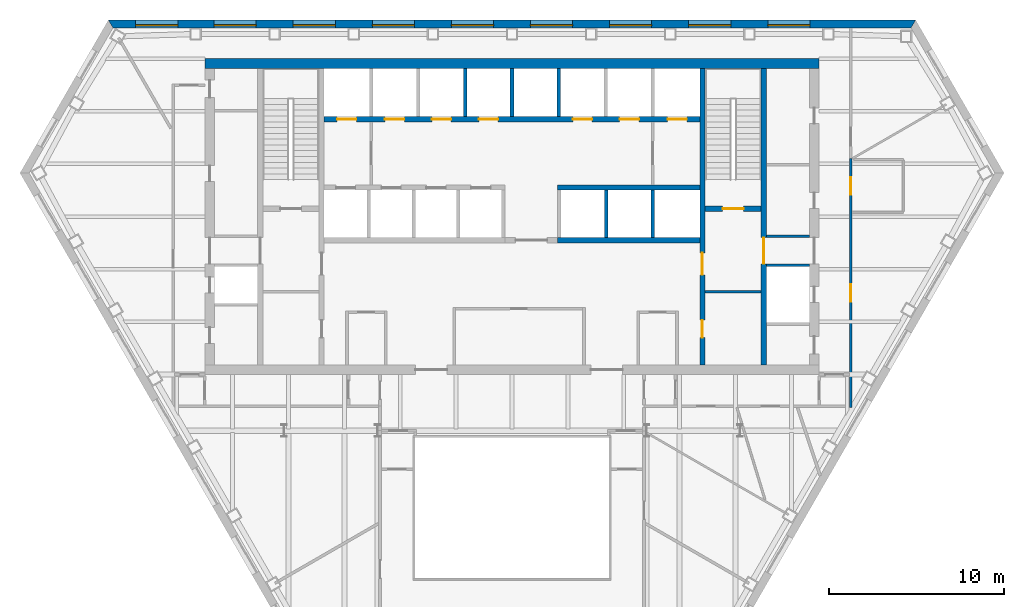
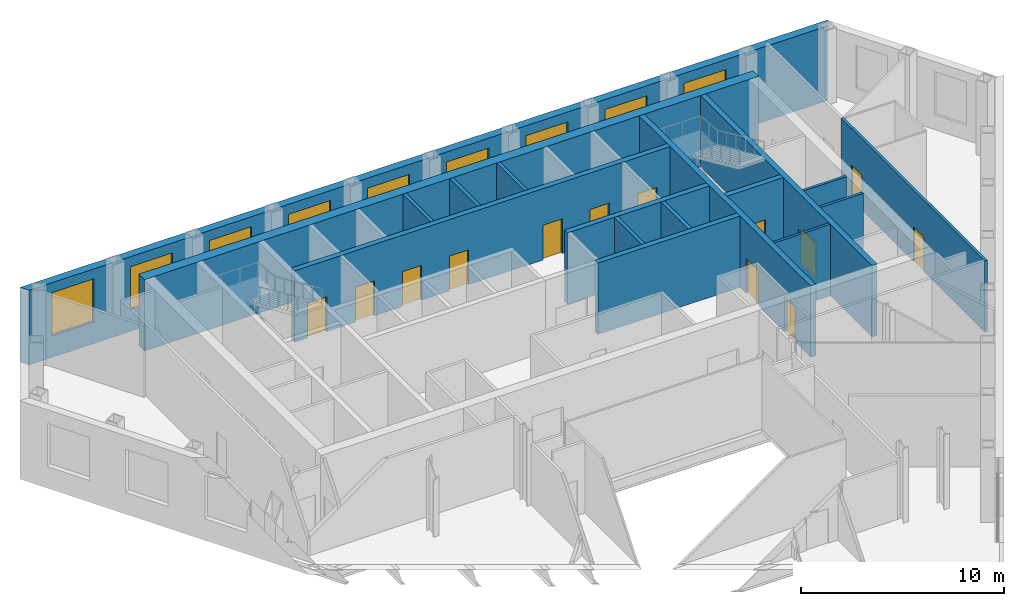
# One storey, part 7 of 11: 17 walls, 13 doors, 9 windows, 22 openings.
"""IFC4 building model written with IfcOpenShell, lengths in metres."""

from ifc_helpers import new_model, si_unit, direction, frame, frame_2d, origin, place, context, subcontext, project, spatial, polyline, rectangle, outline, extrude, material, layer, layer_set, type_object, element, fill, save


model = new_model("IFC4")

# Units and contexts
model_context = context("Model", 3, precision=1e-05, world=origin(), true_north=direction((0.0, 1.0)))
body_context = subcontext(model_context, "Body", "Model", "MODEL_VIEW")
ifc_project = project(units=[si_unit("LENGTHUNIT", "METRE"), si_unit("AREAUNIT", "SQUARE_METRE"), si_unit("VOLUMEUNIT", "CUBIC_METRE"), si_unit("PLANEANGLEUNIT", "RADIAN"), si_unit("MASSUNIT", "GRAM", prefix="KILO")], contexts=[model_context])

# Site, building, storey
site_placement = place(None, origin())
site = spatial("IfcSite", under=ifc_project, at=site_placement, CompositionType="ELEMENT")
building_placement = place(site_placement, origin())
building = spatial("IfcBuilding", under=site, at=building_placement, Name="Njiva Tower", CompositionType="ELEMENT")
storey_placement = place(building_placement, frame((0.0, 0.0, 106.8)))
storey = spatial("IfcBuildingStorey", under=building, at=storey_placement, Name="L22", CompositionType="ELEMENT", Elevation=106.8)

# Wall
ifc_material_1 = material(Name="Blockwork", Category="masonry")
ifc_layer_1 = layer(ifc_material_1, 0.15)
ifc_layer_set_1 = layer_set([ifc_layer_1], Name="Blockwork")
wall_type_1 = type_object("IfcWallType", Name="WT1 Compartment partition 150", PredefinedType="PARTITIONING", material=ifc_layer_set_1)
wall_1_placement = place(storey_placement, frame((11.0, 4.725, 0.0), z_axis=(0.0, 0.0, 1.0), x_axis=(1.0, 0.0, 0.0)))
element("IfcWall", 1, at=wall_1_placement, inside=storey, type_object=wall_type_1, Name="Room wall B", PredefinedType="PARTITIONING", context=body_context, shape_type="SweptSolid", body=[
    extrude(rectangle(XDim=3.2, YDim=0.15, at=frame_2d((1.6, 0.0))), origin(), (0.0, 0.0, 1.0), 4.3),
])

# Wall, openings, doors
ifc_material_2 = material(Name="Concrete C40/50", Category="concrete")
ifc_layer_2 = layer(ifc_material_2, 0.3)
ifc_layer_set_2 = layer_set([ifc_layer_2], Name="Concrete C40/50")
wall_type_2 = type_object("IfcWallType", Name="WT10 Stair enclosure wall 300", PredefinedType="SHEAR", material=ifc_layer_set_2)
wall_2_placement = place(storey_placement, frame((10.85, 0.55, 0.0), z_axis=(0.0, 0.0, 1.0), x_axis=(0.0, 1.0, 0.0)))
wall_2 = element("IfcWall", 2, at=wall_2_placement, inside=storey, type_object=wall_type_2, Name="Stair wall east inner", PredefinedType="SHEAR", context=body_context, shape_type="SweptSolid", body=[
    extrude(rectangle(XDim=16.9, YDim=0.3, at=frame_2d((8.45, 0.0))), origin(), (0.0, 0.0, 1.0), 4.3),
])
opening_1_placement = place(wall_2_placement, frame((5.125, 0.0, 0.0)))
opening_1 = element("IfcOpeningElement", 3, at=opening_1_placement, cuts=wall_2, Name="Opening S07-D918", PredefinedType="OPENING", context=body_context, shape_type="SweptSolid", body=[
    extrude(rectangle(XDim=1.25, YDim=2.1, at=frame_2d((0.625, 1.05))), frame((0.0, 0.16, 0.0), z_axis=(0.0, -1.0, 0.0), x_axis=(1.0, 0.0, 0.0)), (0.0, 0.0, 1.0), 0.32),
])
opening_2_placement = place(wall_2_placement, frame((1.55, 0.0, 0.0)))
opening_2 = element("IfcOpeningElement", 4, at=opening_2_placement, cuts=wall_2, Name="Opening S07-D919", PredefinedType="OPENING", context=body_context, shape_type="SweptSolid", body=[
    extrude(rectangle(XDim=1.0, YDim=2.1, at=frame_2d((0.5, 1.05))), frame((0.0, 0.16, 0.0), z_axis=(0.0, -1.0, 0.0), x_axis=(1.0, 0.0, 0.0)), (0.0, 0.0, 1.0), 0.32),
])
ifc_material_3 = material(Name="Steel door, painted", Category="steel")
door_type_1 = type_object("IfcDoorType", Name="D5 Steel door 1000x2100", OperationType="SINGLE_SWING_LEFT", PredefinedType="DOOR", material=ifc_material_3)
door_1_placement = place(opening_2_placement, origin())
door_1 = element("IfcDoor", 5, at=door_1_placement, inside=storey, type_object=door_type_1, Name="Breakout room door", OperationType="SINGLE_SWING_LEFT", OverallHeight=2.1, OverallWidth=1.0, PredefinedType="DOOR", context=body_context, shape_type="SweptSolid", body=[
    extrude(rectangle(XDim=1.0, YDim=2.1, at=frame_2d((0.5, 1.05))), frame((0.0, 0.025, 0.0), z_axis=(0.0, -1.0, 0.0), x_axis=(1.0, 0.0, 0.0)), (0.0, 0.0, 1.0), 0.05),
])
fill(opening_2, door_1)
ifc_material_4 = material(Name="Glazed steel fire door", Category="steel")
door_type_2 = type_object("IfcDoorType", Name="D8 Vestibule corridor door 1250x2100 glazed", OperationType="SINGLE_SWING_LEFT", PredefinedType="DOOR", material=ifc_material_4)
door_2_placement = place(opening_1_placement, origin())
door_2 = element("IfcDoor", 6, at=door_2_placement, inside=storey, type_object=door_type_2, Name="Stair vestibule corridor door", OperationType="SINGLE_SWING_RIGHT", OverallHeight=2.1, OverallWidth=1.25, PredefinedType="DOOR", context=body_context, shape_type="SweptSolid", body=[
    extrude(rectangle(XDim=1.25, YDim=2.1, at=frame_2d((0.625, 1.05))), frame((0.0, 0.025, 0.0), z_axis=(0.0, -1.0, 0.0), x_axis=(1.0, 0.0, 0.0)), (0.0, 0.0, 1.0), 0.05),
])
fill(opening_1, door_2)

# Wall, opening, door
wall_3_placement = place(storey_placement, frame((14.35, 0.55, 0.0), z_axis=(0.0, 0.0, 1.0), x_axis=(0.0, 1.0, 0.0)))
wall_3 = element("IfcWall", 7, at=wall_3_placement, inside=storey, type_object=wall_type_2, Name="Stair wall east outer", PredefinedType="SHEAR", context=body_context, shape_type="SweptSolid", body=[
    extrude(rectangle(XDim=16.9, YDim=0.3, at=frame_2d((8.45, 0.0))), origin(), (0.0, 0.0, 1.0), 4.3),
])
opening_3_placement = place(wall_3_placement, frame((5.75, 0.0, 0.0)))
opening_3 = element("IfcOpeningElement", 8, at=opening_3_placement, cuts=wall_3, Name="Opening S07-D926", PredefinedType="OPENING", context=body_context, shape_type="SweptSolid", body=[
    extrude(rectangle(XDim=1.5, YDim=2.1, at=frame_2d((0.75, 1.05))), frame((0.0, 0.16, 0.0), z_axis=(0.0, -1.0, 0.0), x_axis=(1.0, 0.0, 0.0)), (0.0, 0.0, 1.0), 0.32),
])
door_type_3 = type_object("IfcDoorType", Name="D10 Exit door double 1500x2100 glazed", OperationType="DOUBLE_DOOR_SINGLE_SWING", PredefinedType="DOOR", material=ifc_material_4)
door_3_placement = place(opening_3_placement, origin())
door_3 = element("IfcDoor", 9, at=door_3_placement, inside=storey, type_object=door_type_3, Name="Stair B passage door", OperationType="DOUBLE_DOOR_SINGLE_SWING", OverallHeight=2.1, OverallWidth=1.5, PredefinedType="DOOR", context=body_context, shape_type="SweptSolid", body=[
    extrude(rectangle(XDim=1.5, YDim=2.1, at=frame_2d((0.75, 1.05))), frame((0.0, 0.025, 0.0), z_axis=(0.0, -1.0, 0.0), x_axis=(1.0, 0.0, 0.0)), (0.0, 0.0, 1.0), 0.05),
])
fill(opening_3, door_3)

wall_4_placement = place(storey_placement, frame((11.0, 9.45, 0.0), z_axis=(0.0, 0.0, 1.0), x_axis=(1.0, 0.0, 0.0)))
wall_4 = element("IfcWall", 10, at=wall_4_placement, inside=storey, type_object=wall_type_2, Name="Stair B south wall", PredefinedType="SHEAR", context=body_context, shape_type="SweptSolid", body=[
    extrude(rectangle(XDim=3.2, YDim=0.3, at=frame_2d((1.6, 0.0))), origin(), (0.0, 0.0, 1.0), 4.3),
])
opening_4_placement = place(wall_4_placement, frame((1.0, 0.0, 0.0)))
opening_4 = element("IfcOpeningElement", 11, at=opening_4_placement, cuts=wall_4, Name="Opening S07-D917", PredefinedType="OPENING", context=body_context, shape_type="SweptSolid", body=[
    extrude(rectangle(XDim=1.2, YDim=2.1, at=frame_2d((0.6, 1.05))), frame((0.0, 0.16, 0.0), z_axis=(0.0, -1.0, 0.0), x_axis=(1.0, 0.0, 0.0)), (0.0, 0.0, 1.0), 0.32),
])
door_type_4 = type_object("IfcDoorType", Name="D7 Stair vestibule door 1200x2100 glazed", OperationType="SINGLE_SWING_LEFT", PredefinedType="DOOR", material=ifc_material_4)
door_4_placement = place(opening_4_placement, origin())
door_4 = element("IfcDoor", 12, at=door_4_placement, inside=storey, type_object=door_type_4, Name="Stair B door", OperationType="SINGLE_SWING_LEFT", OverallHeight=2.1, OverallWidth=1.2, PredefinedType="DOOR", context=body_context, shape_type="SweptSolid", body=[
    extrude(rectangle(XDim=1.2, YDim=2.1, at=frame_2d((0.6, 1.05))), frame((0.0, 0.025, 0.0), z_axis=(0.0, -1.0, 0.0), x_axis=(1.0, 0.0, 0.0)), (0.0, 0.0, 1.0), 0.05),
])
fill(opening_4, door_4)

# Wall
ifc_material_5 = material(Name="Concrete C60/75", Category="concrete")
ifc_layer_3 = layer(ifc_material_5, 0.55)
ifc_layer_set_3 = layer_set([ifc_layer_3], Name="Concrete C60/75")
wall_type_3 = type_object("IfcWallType", Name="WT14 Core wall 550", PredefinedType="SHEAR", material=ifc_layer_set_3)
wall_5_placement = place(storey_placement, frame((-17.5, 17.725, 0.0), z_axis=(0.0, 0.0, 1.0), x_axis=(1.0, 0.0, 0.0)))
element("IfcWall", 13, at=wall_5_placement, inside=storey, type_object=wall_type_3, Name="Core wall north", PredefinedType="SHEAR", context=body_context, shape_type="SweptSolid", body=[
    extrude(rectangle(XDim=35.0, YDim=0.55, at=frame_2d((17.5, 0.0))), origin(), (0.0, 0.0, 1.0), 4.3),
])

# Wall, openings, doors
ifc_material_6 = material(Name="Gypsum board on steel studs", Category="gypsum")
ifc_layer_4 = layer(ifc_material_6, 0.15)
ifc_layer_set_4 = layer_set([ifc_layer_4], Name="Gypsum board on steel studs")
wall_type_4 = type_object("IfcWallType", Name="WT21 Compartment wall 150", PredefinedType="PARTITIONING", material=ifc_layer_set_4)
wall_6_placement = place(storey_placement, frame((19.3, -1.875, 0.0), z_axis=(0.0, 0.0, 1.0), x_axis=(0.0, 1.0, 0.0)))
wall_6 = element("IfcWall", 14, at=wall_6_placement, inside=storey, type_object=wall_type_4, Name="Partition S07-P030", PredefinedType="PARTITIONING", context=body_context, shape_type="SweptSolid", body=[
    extrude(rectangle(XDim=14.173, YDim=0.15, at=frame_2d((7.0865, 0.0))), origin(), (0.0, 0.0, 1.0), 4.3),
])
opening_5_placement = place(wall_6_placement, frame((6.011, 0.0, 0.0)))
opening_5 = element("IfcOpeningElement", 15, at=opening_5_placement, cuts=wall_6, Name="Opening S07-D019", PredefinedType="OPENING", context=body_context, shape_type="SweptSolid", body=[
    extrude(rectangle(XDim=1.0, YDim=2.1, at=frame_2d((0.5, 1.05))), frame((0.0, 0.085, 0.0), z_axis=(0.0, -1.0, 0.0), x_axis=(1.0, 0.0, 0.0)), (0.0, 0.0, 1.0), 0.17),
])
opening_6_placement = place(wall_6_placement, frame((12.123, 0.0, 0.0)))
opening_6 = element("IfcOpeningElement", 16, at=opening_6_placement, cuts=wall_6, Name="Opening S07-D020", PredefinedType="OPENING", context=body_context, shape_type="SweptSolid", body=[
    extrude(rectangle(XDim=1.0, YDim=2.1, at=frame_2d((0.5, 1.05))), frame((0.0, 0.085, 0.0), z_axis=(0.0, -1.0, 0.0), x_axis=(1.0, 0.0, 0.0)), (0.0, 0.0, 1.0), 0.17),
])
ifc_material_7 = material(Name="Steel fire door set", Category="steel")
door_type_5 = type_object("IfcDoorType", Name="D37 Fire door 1000x2100", OperationType="SINGLE_SWING_LEFT", PredefinedType="DOOR", material=ifc_material_7)
door_5_placement = place(opening_5_placement, origin())
door_5 = element("IfcDoor", 17, at=door_5_placement, inside=storey, type_object=door_type_5, Name="Door S07-D019", OperationType="SINGLE_SWING_LEFT", OverallHeight=2.1, OverallWidth=1.0, PredefinedType="DOOR", context=body_context, shape_type="SweptSolid", body=[
    extrude(rectangle(XDim=1.0, YDim=2.1, at=frame_2d((0.5, 1.05))), frame((0.0, 0.025, 0.0), z_axis=(0.0, -1.0, 0.0), x_axis=(1.0, 0.0, 0.0)), (0.0, 0.0, 1.0), 0.05),
])
fill(opening_5, door_5)
door_6_placement = place(opening_6_placement, origin())
door_6 = element("IfcDoor", 18, at=door_6_placement, inside=storey, type_object=door_type_5, Name="Door S07-D020", OperationType="SINGLE_SWING_RIGHT", OverallHeight=2.1, OverallWidth=1.0, PredefinedType="DOOR", context=body_context, shape_type="SweptSolid", body=[
    extrude(rectangle(XDim=1.0, YDim=2.1, at=frame_2d((0.5, 1.05))), frame((0.0, 0.025, 0.0), z_axis=(0.0, -1.0, 0.0), x_axis=(1.0, 0.0, 0.0)), (0.0, 0.0, 1.0), 0.05),
])
fill(opening_6, door_6)

# Walls
ifc_layer_5 = layer(ifc_material_1, 0.15)
ifc_layer_set_5 = layer_set([ifc_layer_5], Name="Blockwork")
wall_type_5 = type_object("IfcWallType", Name="WT4 Stair partition 150", PredefinedType="PARTITIONING", material=ifc_layer_set_5)
for number, where, z_axis, x_axis, name in (
    (19, (14.5, 6.225, 0.0), (0.0, 0.0, 1.0), (1.0, 0.0, 0.0), "Stair B exit passage wall south"),
    (20, (14.5, 7.875, 0.0), (0.0, 0.0, 1.0), (1.0, 0.0, 0.0), "Stair B exit passage wall north"),
):
    element("IfcWall", number, at=place(storey_placement, frame(where, z_axis=z_axis, x_axis=x_axis)), inside=storey, type_object=wall_type_5, Name=name, PredefinedType="PARTITIONING", context=body_context, shape_type="SweptSolid", body=[
        extrude(rectangle(XDim=2.45, YDim=0.15, at=frame_2d((1.225, 0.0))), origin(), (0.0, 0.0, 1.0), 4.3),
    ])
ifc_layer_6 = layer(ifc_material_2, 0.2)
ifc_layer_set_6 = layer_set([ifc_layer_6], Name="Concrete C40/50")
wall_type_6 = type_object("IfcWallType", Name="WT6 Lift shaft wall 200", PredefinedType="SHEAR", material=ifc_layer_set_6)
for number, where, z_axis, x_axis, name in (
    (21, (-2.675, 14.7, 0.0), (0.0, 0.0, 1.0), (0.0, 1.0, 0.0), "Shaft wall CN3"),
    (22, (0.0, 14.7, 0.0), (0.0, 0.0, 1.0), (0.0, 1.0, 0.0), "Shaft wall CN4"),
    (23, (2.675, 14.7, 0.0), (0.0, 0.0, 1.0), (0.0, 1.0, 0.0), "Shaft wall CN5"),
):
    element("IfcWall", number, at=place(storey_placement, frame(where, z_axis=z_axis, x_axis=x_axis)), inside=storey, type_object=wall_type_6, Name=name, PredefinedType="SHEAR", context=body_context, shape_type="SweptSolid", body=[
        extrude(rectangle(XDim=2.75, YDim=0.2, at=frame_2d((1.375, 0.0))), origin(), (0.0, 0.0, 1.0), 4.3),
    ])
for number, where, z_axis, x_axis, name in (
    (24, (5.3667, 7.8, 0.0), (0.0, 0.0, 1.0), (0.0, 1.0, 0.0), "Shaft wall CS6"),
    (25, (8.0333, 7.8, 0.0), (0.0, 0.0, 1.0), (0.0, 1.0, 0.0), "Shaft wall CS7"),
):
    element("IfcWall", number, at=place(storey_placement, frame(where, z_axis=z_axis, x_axis=x_axis)), inside=storey, type_object=wall_type_6, Name=name, PredefinedType="SHEAR", context=body_context, shape_type="SweptSolid", body=[
        extrude(rectangle(XDim=2.7, YDim=0.2, at=frame_2d((1.35, 0.0))), origin(), (0.0, 0.0, 1.0), 4.3),
    ])

# Wall, openings, doors
ifc_layer_7 = layer(ifc_material_2, 0.3)
ifc_layer_set_7 = layer_set([ifc_layer_7], Name="Concrete C40/50")
wall_type_7 = type_object("IfcWallType", Name="WT7 Lift shaft wall 300", PredefinedType="SHEAR", material=ifc_layer_set_7)
wall_7_placement = place(storey_placement, frame((-10.7, 14.55, 0.0), z_axis=(0.0, 0.0, 1.0), x_axis=(1.0, 0.0, 0.0)))
wall_7 = element("IfcWall", 26, at=wall_7_placement, inside=storey, type_object=wall_type_7, Name="Shaft wall north row lobby side", PredefinedType="SHEAR", context=body_context, shape_type="SweptSolid", body=[
    extrude(rectangle(XDim=21.4, YDim=0.3, at=frame_2d((10.7, 0.0))), origin(), (0.0, 0.0, 1.0), 4.3),
])
opening_7_placement = place(wall_7_placement, frame((0.7375, 0.0, 0.0)))
opening_7 = element("IfcOpeningElement", 27, at=opening_7_placement, cuts=wall_7, Name="Opening S07-D901", PredefinedType="OPENING", context=body_context, shape_type="SweptSolid", body=[
    extrude(rectangle(XDim=1.1, YDim=2.1, at=frame_2d((0.55, 1.05))), frame((0.0, 0.16, 0.0), z_axis=(0.0, -1.0, 0.0), x_axis=(1.0, 0.0, 0.0)), (0.0, 0.0, 1.0), 0.32),
])
opening_8_placement = place(wall_7_placement, frame((3.4625, 0.0, 0.0)))
opening_8 = element("IfcOpeningElement", 28, at=opening_8_placement, cuts=wall_7, Name="Opening S07-D902", PredefinedType="OPENING", context=body_context, shape_type="SweptSolid", body=[
    extrude(rectangle(XDim=1.1, YDim=2.1, at=frame_2d((0.55, 1.05))), frame((0.0, 0.16, 0.0), z_axis=(0.0, -1.0, 0.0), x_axis=(1.0, 0.0, 0.0)), (0.0, 0.0, 1.0), 0.32),
])
opening_9_placement = place(wall_7_placement, frame((6.1375, 0.0, 0.0)))
opening_9 = element("IfcOpeningElement", 29, at=opening_9_placement, cuts=wall_7, Name="Opening S07-D903", PredefinedType="OPENING", context=body_context, shape_type="SweptSolid", body=[
    extrude(rectangle(XDim=1.1, YDim=2.1, at=frame_2d((0.55, 1.05))), frame((0.0, 0.16, 0.0), z_axis=(0.0, -1.0, 0.0), x_axis=(1.0, 0.0, 0.0)), (0.0, 0.0, 1.0), 0.32),
])
opening_10_placement = place(wall_7_placement, frame((8.8125, 0.0, 0.0)))
opening_10 = element("IfcOpeningElement", 30, at=opening_10_placement, cuts=wall_7, Name="Opening S07-D904", PredefinedType="OPENING", context=body_context, shape_type="SweptSolid", body=[
    extrude(rectangle(XDim=1.1, YDim=2.1, at=frame_2d((0.55, 1.05))), frame((0.0, 0.16, 0.0), z_axis=(0.0, -1.0, 0.0), x_axis=(1.0, 0.0, 0.0)), (0.0, 0.0, 1.0), 0.32),
])
opening_11_placement = place(wall_7_placement, frame((14.1625, 0.0, 0.0)))
opening_11 = element("IfcOpeningElement", 31, at=opening_11_placement, cuts=wall_7, Name="Opening S07-D905", PredefinedType="OPENING", context=body_context, shape_type="SweptSolid", body=[
    extrude(rectangle(XDim=1.1, YDim=2.1, at=frame_2d((0.55, 1.05))), frame((0.0, 0.16, 0.0), z_axis=(0.0, -1.0, 0.0), x_axis=(1.0, 0.0, 0.0)), (0.0, 0.0, 1.0), 0.32),
])
opening_12_placement = place(wall_7_placement, frame((16.8375, 0.0, 0.0)))
opening_12 = element("IfcOpeningElement", 32, at=opening_12_placement, cuts=wall_7, Name="Opening S07-D906", PredefinedType="OPENING", context=body_context, shape_type="SweptSolid", body=[
    extrude(rectangle(XDim=1.1, YDim=2.1, at=frame_2d((0.55, 1.05))), frame((0.0, 0.16, 0.0), z_axis=(0.0, -1.0, 0.0), x_axis=(1.0, 0.0, 0.0)), (0.0, 0.0, 1.0), 0.32),
])
opening_13_placement = place(wall_7_placement, frame((19.5625, 0.0, 0.0)))
opening_13 = element("IfcOpeningElement", 33, at=opening_13_placement, cuts=wall_7, Name="Opening S07-D907", PredefinedType="OPENING", context=body_context, shape_type="SweptSolid", body=[
    extrude(rectangle(XDim=1.1, YDim=2.1, at=frame_2d((0.55, 1.05))), frame((0.0, 0.16, 0.0), z_axis=(0.0, -1.0, 0.0), x_axis=(1.0, 0.0, 0.0)), (0.0, 0.0, 1.0), 0.32),
])
ifc_material_8 = material(Name="Stainless steel sliding door", Category="steel")
door_type_6 = type_object("IfcDoorType", Name="LD Lift landing door 1100x2100", OperationType="SLIDING_TO_LEFT", PredefinedType="DOOR", material=ifc_material_8)
door_7_placement = place(opening_7_placement, origin())
door_7 = element("IfcDoor", 34, at=door_7_placement, inside=storey, type_object=door_type_6, Name="Lift landing door FF1", OperationType="SLIDING_TO_LEFT", OverallHeight=2.1, OverallWidth=1.1, PredefinedType="DOOR", context=body_context, shape_type="SweptSolid", body=[
    extrude(rectangle(XDim=1.1, YDim=2.1, at=frame_2d((0.55, 1.05))), frame((0.0, 0.025, 0.0), z_axis=(0.0, -1.0, 0.0), x_axis=(1.0, 0.0, 0.0)), (0.0, 0.0, 1.0), 0.05),
])
fill(opening_7, door_7)
door_8_placement = place(opening_8_placement, origin())
door_8 = element("IfcDoor", 35, at=door_8_placement, inside=storey, type_object=door_type_6, Name="Lift landing door LB1", OperationType="SLIDING_TO_LEFT", OverallHeight=2.1, OverallWidth=1.1, PredefinedType="DOOR", context=body_context, shape_type="SweptSolid", body=[
    extrude(rectangle(XDim=1.1, YDim=2.1, at=frame_2d((0.55, 1.05))), frame((0.0, 0.025, 0.0), z_axis=(0.0, -1.0, 0.0), x_axis=(1.0, 0.0, 0.0)), (0.0, 0.0, 1.0), 0.05),
])
fill(opening_8, door_8)
door_9_placement = place(opening_9_placement, origin())
door_9 = element("IfcDoor", 36, at=door_9_placement, inside=storey, type_object=door_type_6, Name="Lift landing door LB2", OperationType="SLIDING_TO_LEFT", OverallHeight=2.1, OverallWidth=1.1, PredefinedType="DOOR", context=body_context, shape_type="SweptSolid", body=[
    extrude(rectangle(XDim=1.1, YDim=2.1, at=frame_2d((0.55, 1.05))), frame((0.0, 0.025, 0.0), z_axis=(0.0, -1.0, 0.0), x_axis=(1.0, 0.0, 0.0)), (0.0, 0.0, 1.0), 0.05),
])
fill(opening_9, door_9)
door_10_placement = place(opening_10_placement, origin())
door_10 = element("IfcDoor", 37, at=door_10_placement, inside=storey, type_object=door_type_6, Name="Lift landing door LB3", OperationType="SLIDING_TO_LEFT", OverallHeight=2.1, OverallWidth=1.1, PredefinedType="DOOR", context=body_context, shape_type="SweptSolid", body=[
    extrude(rectangle(XDim=1.1, YDim=2.1, at=frame_2d((0.55, 1.05))), frame((0.0, 0.025, 0.0), z_axis=(0.0, -1.0, 0.0), x_axis=(1.0, 0.0, 0.0)), (0.0, 0.0, 1.0), 0.05),
])
fill(opening_10, door_10)
door_11_placement = place(opening_11_placement, origin())
door_11 = element("IfcDoor", 38, at=door_11_placement, inside=storey, type_object=door_type_6, Name="Lift landing door FR1", OperationType="SLIDING_TO_LEFT", OverallHeight=2.1, OverallWidth=1.1, PredefinedType="DOOR", context=body_context, shape_type="SweptSolid", body=[
    extrude(rectangle(XDim=1.1, YDim=2.1, at=frame_2d((0.55, 1.05))), frame((0.0, 0.025, 0.0), z_axis=(0.0, -1.0, 0.0), x_axis=(1.0, 0.0, 0.0)), (0.0, 0.0, 1.0), 0.05),
])
fill(opening_11, door_11)
door_12_placement = place(opening_12_placement, origin())
door_12 = element("IfcDoor", 39, at=door_12_placement, inside=storey, type_object=door_type_6, Name="Lift landing door FR2", OperationType="SLIDING_TO_LEFT", OverallHeight=2.1, OverallWidth=1.1, PredefinedType="DOOR", context=body_context, shape_type="SweptSolid", body=[
    extrude(rectangle(XDim=1.1, YDim=2.1, at=frame_2d((0.55, 1.05))), frame((0.0, 0.025, 0.0), z_axis=(0.0, -1.0, 0.0), x_axis=(1.0, 0.0, 0.0)), (0.0, 0.0, 1.0), 0.05),
])
fill(opening_12, door_12)
door_13_placement = place(opening_13_placement, origin())
door_13 = element("IfcDoor", 40, at=door_13_placement, inside=storey, type_object=door_type_6, Name="Lift landing door FF2", OperationType="SLIDING_TO_LEFT", OverallHeight=2.1, OverallWidth=1.1, PredefinedType="DOOR", context=body_context, shape_type="SweptSolid", body=[
    extrude(rectangle(XDim=1.1, YDim=2.1, at=frame_2d((0.55, 1.05))), frame((0.0, 0.025, 0.0), z_axis=(0.0, -1.0, 0.0), x_axis=(1.0, 0.0, 0.0)), (0.0, 0.0, 1.0), 0.05),
])
fill(opening_13, door_13)

# Walls
for number, where, z_axis, x_axis, name in (
    (41, (2.6, 10.65, 0.0), (0.0, 0.0, 1.0), (1.0, 0.0, 0.0), "Shaft wall south row lobby side E"),
    (42, (2.6, 7.65, 0.0), (0.0, 0.0, 1.0), (1.0, 0.0, 0.0), "Shaft wall south row back E"),
):
    element("IfcWall", number, at=place(storey_placement, frame(where, z_axis=z_axis, x_axis=x_axis)), inside=storey, type_object=wall_type_7, Name=name, PredefinedType="SHEAR", context=body_context, shape_type="SweptSolid", body=[
        extrude(rectangle(XDim=8.1, YDim=0.3, at=frame_2d((4.05, 0.0))), origin(), (0.0, 0.0, 1.0), 4.3),
    ])

# Wall, openings, windows
ifc_material_9 = material(Name="Brick masonry", Category="masonry")
ifc_layer_8 = layer(ifc_material_9, 0.45)
ifc_layer_set_8 = layer_set([ifc_layer_8], Name="Brick masonry")
wall_type_8 = type_object("IfcWallType", Name="WT90 Brick pier and spandrel wall 450", PredefinedType="SOLIDWALL", material=ifc_layer_set_8)
wall_8_placement = place(storey_placement, frame((22.8701, 19.975, -0.4), z_axis=(0.0, 0.0, 1.0), x_axis=(-1.0, 0.0, 0.0)))
wall_8 = element("IfcWall", 43, at=wall_8_placement, inside=storey, type_object=wall_type_8, Name="Facade wall N", PredefinedType="SOLIDWALL", context=body_context, shape_type="SweptSolid", body=[
    extrude(outline(polyline([(-0.1299, -0.225), (45.8701, -0.225), (45.6103, 0.225), (0.1299, 0.225), (-0.1299, -0.225)])), origin(), (0.0, 0.0, 1.0), 4.5),
])
opening_14_placement = place(wall_8_placement, frame((5.8934, 0.0, 1.3)))
opening_14 = element("IfcOpeningElement", 44, at=opening_14_placement, cuts=wall_8, Name="Opening S07-W01", PredefinedType="OPENING", context=body_context, shape_type="SweptSolid", body=[
    extrude(rectangle(XDim=2.4, YDim=2.6, at=frame_2d((1.2, 1.3))), frame((0.0, 0.235, 0.0), z_axis=(0.0, -1.0, 0.0), x_axis=(1.0, 0.0, 0.0)), (0.0, 0.0, 1.0), 0.47),
])
opening_15_placement = place(wall_8_placement, frame((10.401, 0.0, 1.3)))
opening_15 = element("IfcOpeningElement", 45, at=opening_15_placement, cuts=wall_8, Name="Opening S07-W02", PredefinedType="OPENING", context=body_context, shape_type="SweptSolid", body=[
    extrude(rectangle(XDim=2.4, YDim=2.6, at=frame_2d((1.2, 1.3))), frame((0.0, 0.235, 0.0), z_axis=(0.0, -1.0, 0.0), x_axis=(1.0, 0.0, 0.0)), (0.0, 0.0, 1.0), 0.47),
])
opening_16_placement = place(wall_8_placement, frame((14.9087, 0.0, 1.3)))
opening_16 = element("IfcOpeningElement", 46, at=opening_16_placement, cuts=wall_8, Name="Opening S07-W03", PredefinedType="OPENING", context=body_context, shape_type="SweptSolid", body=[
    extrude(rectangle(XDim=2.4, YDim=2.6, at=frame_2d((1.2, 1.3))), frame((0.0, 0.235, 0.0), z_axis=(0.0, -1.0, 0.0), x_axis=(1.0, 0.0, 0.0)), (0.0, 0.0, 1.0), 0.47),
])
opening_17_placement = place(wall_8_placement, frame((19.4163, 0.0, 1.3)))
opening_17 = element("IfcOpeningElement", 47, at=opening_17_placement, cuts=wall_8, Name="Opening S07-W04", PredefinedType="OPENING", context=body_context, shape_type="SweptSolid", body=[
    extrude(rectangle(XDim=2.4, YDim=2.6, at=frame_2d((1.2, 1.3))), frame((0.0, 0.235, 0.0), z_axis=(0.0, -1.0, 0.0), x_axis=(1.0, 0.0, 0.0)), (0.0, 0.0, 1.0), 0.47),
])
opening_18_placement = place(wall_8_placement, frame((23.9239, 0.0, 1.3)))
opening_18 = element("IfcOpeningElement", 48, at=opening_18_placement, cuts=wall_8, Name="Opening S07-W05", PredefinedType="OPENING", context=body_context, shape_type="SweptSolid", body=[
    extrude(rectangle(XDim=2.4, YDim=2.6, at=frame_2d((1.2, 1.3))), frame((0.0, 0.235, 0.0), z_axis=(0.0, -1.0, 0.0), x_axis=(1.0, 0.0, 0.0)), (0.0, 0.0, 1.0), 0.47),
])
opening_19_placement = place(wall_8_placement, frame((28.4315, 0.0, 1.3)))
opening_19 = element("IfcOpeningElement", 49, at=opening_19_placement, cuts=wall_8, Name="Opening S07-W06", PredefinedType="OPENING", context=body_context, shape_type="SweptSolid", body=[
    extrude(rectangle(XDim=2.4, YDim=2.6, at=frame_2d((1.2, 1.3))), frame((0.0, 0.235, 0.0), z_axis=(0.0, -1.0, 0.0), x_axis=(1.0, 0.0, 0.0)), (0.0, 0.0, 1.0), 0.47),
])
opening_20_placement = place(wall_8_placement, frame((32.9391, 0.0, 1.3)))
opening_20 = element("IfcOpeningElement", 50, at=opening_20_placement, cuts=wall_8, Name="Opening S07-W07", PredefinedType="OPENING", context=body_context, shape_type="SweptSolid", body=[
    extrude(rectangle(XDim=2.4, YDim=2.6, at=frame_2d((1.2, 1.3))), frame((0.0, 0.235, 0.0), z_axis=(0.0, -1.0, 0.0), x_axis=(1.0, 0.0, 0.0)), (0.0, 0.0, 1.0), 0.47),
])
opening_21_placement = place(wall_8_placement, frame((37.4468, 0.0, 1.3)))
opening_21 = element("IfcOpeningElement", 51, at=opening_21_placement, cuts=wall_8, Name="Opening S07-W08", PredefinedType="OPENING", context=body_context, shape_type="SweptSolid", body=[
    extrude(rectangle(XDim=2.4, YDim=2.6, at=frame_2d((1.2, 1.3))), frame((0.0, 0.235, 0.0), z_axis=(0.0, -1.0, 0.0), x_axis=(1.0, 0.0, 0.0)), (0.0, 0.0, 1.0), 0.47),
])
opening_22_placement = place(wall_8_placement, frame((41.916, 0.0, 1.3)))
opening_22 = element("IfcOpeningElement", 52, at=opening_22_placement, cuts=wall_8, Name="Opening S07-W09", PredefinedType="OPENING", context=body_context, shape_type="SweptSolid", body=[
    extrude(rectangle(XDim=2.4, YDim=2.6, at=frame_2d((1.2, 1.3))), frame((0.0, 0.235, 0.0), z_axis=(0.0, -1.0, 0.0), x_axis=(1.0, 0.0, 0.0)), (0.0, 0.0, 1.0), 0.47),
])
ifc_material_10 = material(Name="Clear glazing in aluminium frame", Category="aluminium")
window_type = type_object("IfcWindowType", Name="W92 Deep-set window 2400x2600", PartitioningType="SINGLE_PANEL", PredefinedType="WINDOW", material=ifc_material_10)
window_1_placement = place(opening_14_placement, origin())
window_1 = element("IfcWindow", 53, at=window_1_placement, inside=storey, type_object=window_type, Name="Window", OverallHeight=2.6, OverallWidth=2.4, PartitioningType="SINGLE_PANEL", PredefinedType="WINDOW", context=body_context, shape_type="SweptSolid", body=[
    extrude(rectangle(XDim=2.4, YDim=2.6, at=frame_2d((1.2, 1.3))), frame((0.0, 0.105, 0.0), z_axis=(0.0, -1.0, 0.0), x_axis=(1.0, 0.0, 0.0)), (0.0, 0.0, 1.0), 0.06),
])
fill(opening_14, window_1)
window_2_placement = place(opening_15_placement, origin())
window_2 = element("IfcWindow", 54, at=window_2_placement, inside=storey, type_object=window_type, Name="Window", OverallHeight=2.6, OverallWidth=2.4, PartitioningType="SINGLE_PANEL", PredefinedType="WINDOW", context=body_context, shape_type="SweptSolid", body=[
    extrude(rectangle(XDim=2.4, YDim=2.6, at=frame_2d((1.2, 1.3))), frame((0.0, 0.105, 0.0), z_axis=(0.0, -1.0, 0.0), x_axis=(1.0, 0.0, 0.0)), (0.0, 0.0, 1.0), 0.06),
])
fill(opening_15, window_2)
window_3_placement = place(opening_16_placement, origin())
window_3 = element("IfcWindow", 55, at=window_3_placement, inside=storey, type_object=window_type, Name="Window", OverallHeight=2.6, OverallWidth=2.4, PartitioningType="SINGLE_PANEL", PredefinedType="WINDOW", context=body_context, shape_type="SweptSolid", body=[
    extrude(rectangle(XDim=2.4, YDim=2.6, at=frame_2d((1.2, 1.3))), frame((0.0, 0.105, 0.0), z_axis=(0.0, -1.0, 0.0), x_axis=(1.0, 0.0, 0.0)), (0.0, 0.0, 1.0), 0.06),
])
fill(opening_16, window_3)
window_4_placement = place(opening_17_placement, origin())
window_4 = element("IfcWindow", 56, at=window_4_placement, inside=storey, type_object=window_type, Name="Window", OverallHeight=2.6, OverallWidth=2.4, PartitioningType="SINGLE_PANEL", PredefinedType="WINDOW", context=body_context, shape_type="SweptSolid", body=[
    extrude(rectangle(XDim=2.4, YDim=2.6, at=frame_2d((1.2, 1.3))), frame((0.0, 0.105, 0.0), z_axis=(0.0, -1.0, 0.0), x_axis=(1.0, 0.0, 0.0)), (0.0, 0.0, 1.0), 0.06),
])
fill(opening_17, window_4)
window_5_placement = place(opening_18_placement, origin())
window_5 = element("IfcWindow", 57, at=window_5_placement, inside=storey, type_object=window_type, Name="Window", OverallHeight=2.6, OverallWidth=2.4, PartitioningType="SINGLE_PANEL", PredefinedType="WINDOW", context=body_context, shape_type="SweptSolid", body=[
    extrude(rectangle(XDim=2.4, YDim=2.6, at=frame_2d((1.2, 1.3))), frame((0.0, 0.105, 0.0), z_axis=(0.0, -1.0, 0.0), x_axis=(1.0, 0.0, 0.0)), (0.0, 0.0, 1.0), 0.06),
])
fill(opening_18, window_5)
window_6_placement = place(opening_19_placement, origin())
window_6 = element("IfcWindow", 58, at=window_6_placement, inside=storey, type_object=window_type, Name="Window", OverallHeight=2.6, OverallWidth=2.4, PartitioningType="SINGLE_PANEL", PredefinedType="WINDOW", context=body_context, shape_type="SweptSolid", body=[
    extrude(rectangle(XDim=2.4, YDim=2.6, at=frame_2d((1.2, 1.3))), frame((0.0, 0.105, 0.0), z_axis=(0.0, -1.0, 0.0), x_axis=(1.0, 0.0, 0.0)), (0.0, 0.0, 1.0), 0.06),
])
fill(opening_19, window_6)
window_7_placement = place(opening_20_placement, origin())
window_7 = element("IfcWindow", 59, at=window_7_placement, inside=storey, type_object=window_type, Name="Window", OverallHeight=2.6, OverallWidth=2.4, PartitioningType="SINGLE_PANEL", PredefinedType="WINDOW", context=body_context, shape_type="SweptSolid", body=[
    extrude(rectangle(XDim=2.4, YDim=2.6, at=frame_2d((1.2, 1.3))), frame((0.0, 0.105, 0.0), z_axis=(0.0, -1.0, 0.0), x_axis=(1.0, 0.0, 0.0)), (0.0, 0.0, 1.0), 0.06),
])
fill(opening_20, window_7)
window_8_placement = place(opening_21_placement, origin())
window_8 = element("IfcWindow", 60, at=window_8_placement, inside=storey, type_object=window_type, Name="Window", OverallHeight=2.6, OverallWidth=2.4, PartitioningType="SINGLE_PANEL", PredefinedType="WINDOW", context=body_context, shape_type="SweptSolid", body=[
    extrude(rectangle(XDim=2.4, YDim=2.6, at=frame_2d((1.2, 1.3))), frame((0.0, 0.105, 0.0), z_axis=(0.0, -1.0, 0.0), x_axis=(1.0, 0.0, 0.0)), (0.0, 0.0, 1.0), 0.06),
])
fill(opening_21, window_8)
window_9_placement = place(opening_22_placement, origin())
window_9 = element("IfcWindow", 61, at=window_9_placement, inside=storey, type_object=window_type, Name="Window", OverallHeight=2.6, OverallWidth=2.4, PartitioningType="SINGLE_PANEL", PredefinedType="WINDOW", context=body_context, shape_type="SweptSolid", body=[
    extrude(rectangle(XDim=2.4, YDim=2.6, at=frame_2d((1.2, 1.3))), frame((0.0, 0.105, 0.0), z_axis=(0.0, -1.0, 0.0), x_axis=(1.0, 0.0, 0.0)), (0.0, 0.0, 1.0), 0.06),
])
fill(opening_22, window_9)

save(model, "model.ifc")
